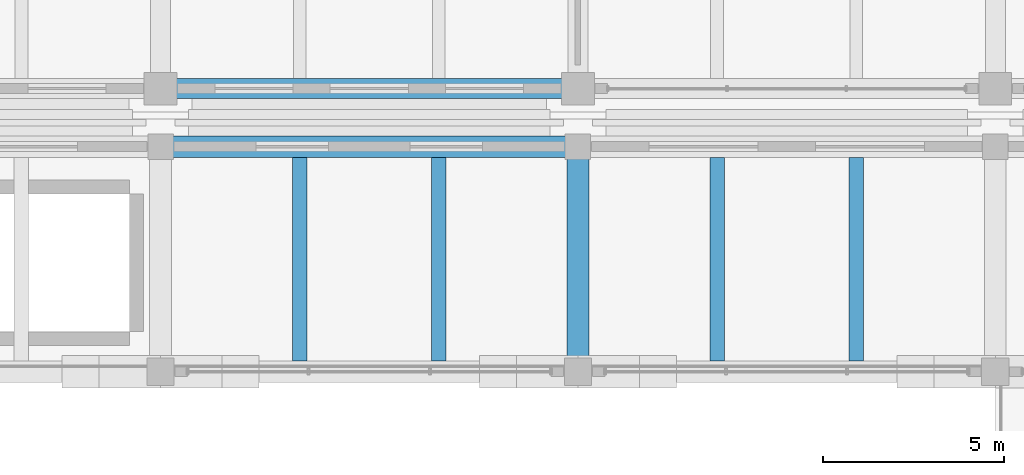
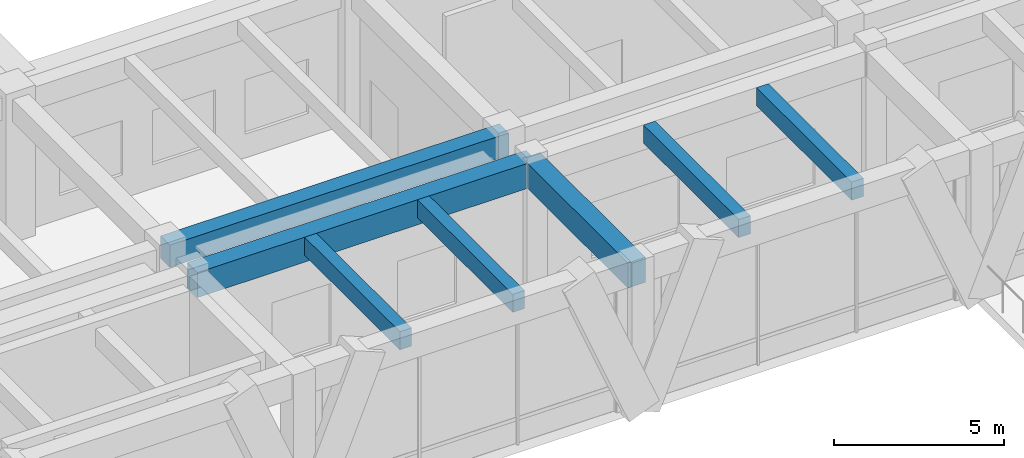
# One storey, part 51 of 148: 7 beams.
"""IFC4 building model written with IfcOpenShell, lengths in metres."""

from ifc_helpers import new_model, si_unit, direction, frame, origin, origin_2d, place, context, subcontext, project, spatial, rectangle, extrude, material, material_profile, profile_set, type_object, element, save


model = new_model("IFC4")

# Units and contexts
model_context = context("Model", 3, precision=1e-05, world=origin(), true_north=direction((0.0, 1.0)))
body_context = subcontext(model_context, "Body", "Model", "MODEL_VIEW")
ifc_project = project(units=[si_unit("LENGTHUNIT", "METRE"), si_unit("AREAUNIT", "SQUARE_METRE"), si_unit("VOLUMEUNIT", "CUBIC_METRE"), si_unit("PLANEANGLEUNIT", "RADIAN"), si_unit("MASSUNIT", "GRAM", prefix="KILO")], contexts=[model_context])

# Site, building, storey
site_placement = place(None, origin())
site = spatial("IfcSite", under=ifc_project, at=site_placement, CompositionType="ELEMENT")
building_placement = place(site_placement, origin())
building = spatial("IfcBuilding", under=site, at=building_placement, Name="Ologun Quay Terminus", CompositionType="ELEMENT")
storey_placement = place(building_placement, frame((0.0, 0.0, 8.39990234375)))
storey = spatial("IfcBuildingStorey", under=building, at=storey_placement, Name="L02", CompositionType="ELEMENT", Elevation=8.39990234375)

# Beams
ifc_material_1 = material(Name="Concrete C40/50", Category="concrete")
ifc_material_profile_1 = material_profile(ifc_material_1, rectangle(XDim=0.550048828125, YDim=0.800048828125, at=origin_2d()), Name="RC 550x800")
ifc_profile_set_1 = profile_set([ifc_material_profile_1], Name="Concrete C40/50")
beam_type_1 = type_object("IfcBeamType", Name="Courtyard Wing Primary Girder 550x800", PredefinedType="BEAM", material=ifc_profile_set_1)
beam_1_placement = place(storey_placement, frame((11.5, 85.800048828125, 4.75), z_axis=(1.0, 0.0, 0.0), x_axis=(0.0, 1.0, 0.0)))
element("IfcBeam", 1, at=beam_1_placement, inside=storey, type_object=beam_type_1, Name="B4 Beam 2/G2 L02", PredefinedType="BEAM", context=body_context, shape_type="SweptSolid", body=[
    extrude(rectangle(XDim=0.550048828125, YDim=0.800048828125, at=origin_2d()), origin(), (0.0, 0.0, 1.0), 11.5),
])
ifc_material_2 = material(Name="Concrete C40/50", Category="concrete")
ifc_material_profile_2 = material_profile(ifc_material_2, rectangle(XDim=0.60009765625, YDim=0.89990234375, at=origin_2d()), Name="RC 600x900")
ifc_profile_set_2 = profile_set([ifc_material_profile_2], Name="Concrete C40/50")
beam_type_2 = type_object("IfcBeamType", Name="Station Frame Girder 600x900", PredefinedType="BEAM", material=ifc_profile_set_2)
beam_2_placement = place(storey_placement, frame((11.5, 84.199951171875, 4.7001953125), z_axis=(1.0, 0.0, 0.0), x_axis=(0.0, 1.0, 0.0)))
element("IfcBeam", 2, at=beam_2_placement, inside=storey, type_object=beam_type_2, Name="B3 Beam 2/G1 L02", PredefinedType="BEAM", context=body_context, shape_type="SweptSolid", body=[
    extrude(rectangle(XDim=0.60009765625, YDim=0.89990234375, at=origin_2d()), origin(), (0.0, 0.0, 1.0), 11.5),
])
beam_3_placement = place(storey_placement, frame((23.0, 78.0, 4.7001953125), z_axis=(0.0, 1.0, 0.0), x_axis=(-1.0, 0.0, 0.0)))
element("IfcBeam", 3, at=beam_3_placement, inside=storey, type_object=beam_type_2, Name="B3 Beam 3/F L02", PredefinedType="BEAM", context=body_context, shape_type="SweptSolid", body=[
    extrude(rectangle(XDim=0.60009765625, YDim=0.89990234375, at=origin_2d()), origin(), (0.0, 0.0, 1.0), 6.199951171875),
])
ifc_material_3 = material(Name="Concrete C40/50", Category="concrete")
ifc_material_profile_3 = material_profile(ifc_material_3, rectangle(XDim=0.39990234375, YDim=0.64990234375, at=origin_2d()), Name="RC 400x650")
ifc_profile_set_3 = profile_set([ifc_material_profile_3], Name="Concrete C40/50")
beam_type_3 = type_object("IfcBeamType", Name="Station Secondary Joist 400x650", PredefinedType="JOIST", material=ifc_profile_set_3)
for number, where, z_axis, x_axis, name in (
    (4, (15.333251953125, 78.300048828125, 4.8251953125), (0.0, 1.0, 0.0), (-1.0, 0.0, 0.0), "J1 Beam 2/F L02"),
    (5, (19.166748046875, 78.300048828125, 4.8251953125), (0.0, 1.0, 0.0), (-1.0, 0.0, 0.0), "J1 Beam 2/F L02"),
    (6, (26.833251953125, 78.300048828125, 4.8251953125), (0.0, 1.0, 0.0), (-1.0, 0.0, 0.0), "J1 Beam 3/F L02"),
    (7, (30.666748046875, 78.300048828125, 4.8251953125), (0.0, 1.0, 0.0), (-1.0, 0.0, 0.0), "J1 Beam 3/F L02"),
):
    element("IfcBeam", number, at=place(storey_placement, frame(where, z_axis=z_axis, x_axis=x_axis)), inside=storey, type_object=beam_type_3, Name=name, PredefinedType="JOIST", context=body_context, shape_type="SweptSolid", body=[
        extrude(rectangle(XDim=0.39990234375, YDim=0.64990234375, at=origin_2d()), origin(), (0.0, 0.0, 1.0), 5.599853515625),
    ])

save(model, "model.ifc")
